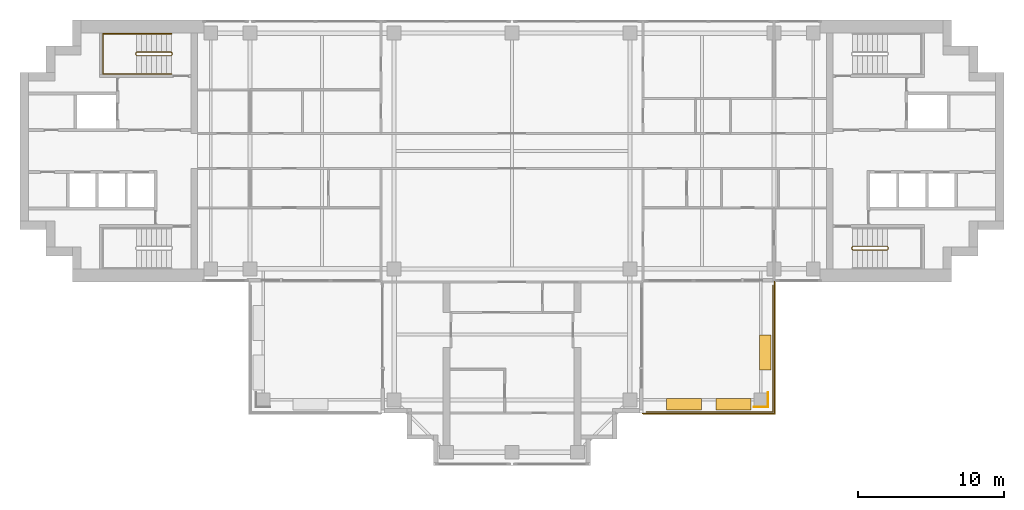
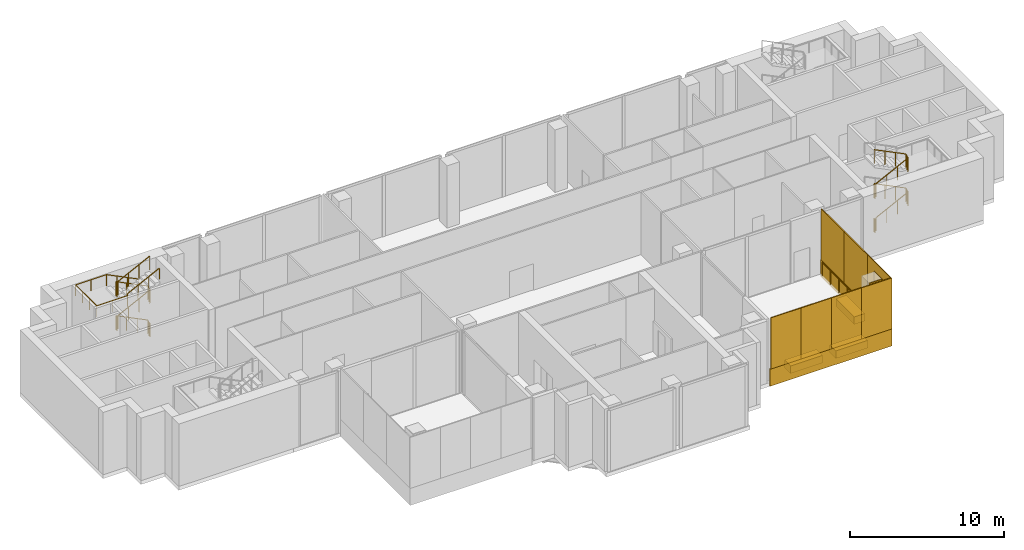
# One storey, part 11 of 12: 13 coverings, 4 railings.
"""IFC4 building model written with IfcOpenShell, lengths in metres."""

from ifc_helpers import new_model, si_unit, direction, frame, origin, origin_2d, place, context, subcontext, project, spatial, polyline, rectangle, outline, extrude, material, layer, layer_set, type_object, element, save


model = new_model("IFC4")

# Units and contexts
model_context = context("Model", 3, precision=1e-05, world=origin(), true_north=direction((0.0, 1.0)))
body_context = subcontext(model_context, "Body", "Model", "MODEL_VIEW")
ifc_project = project(units=[si_unit("LENGTHUNIT", "METRE"), si_unit("AREAUNIT", "SQUARE_METRE"), si_unit("VOLUMEUNIT", "CUBIC_METRE"), si_unit("PLANEANGLEUNIT", "RADIAN"), si_unit("MASSUNIT", "GRAM", prefix="KILO")], contexts=[model_context])

# Site, building, storey
site_placement = place(None, origin())
site = spatial("IfcSite", under=ifc_project, at=site_placement, CompositionType="ELEMENT")
building_placement = place(site_placement, origin())
building = spatial("IfcBuilding", under=site, at=building_placement, Name="Perihelion Cross Residences", CompositionType="ELEMENT")
storey_placement = place(building_placement, frame((0.0, 0.0, 222.60009765625)))
storey = spatial("IfcBuildingStorey", under=building, at=storey_placement, Name="L56", CompositionType="ELEMENT", Elevation=222.60009765625)

# Railing
ifc_material_1 = material(Name="Bronze anodised aluminium", Category="aluminium")
railing_type_1 = type_object("IfcRailingType", Name="Balcony guard 1100", PredefinedType="GUARDRAIL", material=ifc_material_1)
railing_1_placement = place(storey_placement, frame((17.93994140625, -9.25, 0.0)))
element("IfcRailing", 1, at=railing_1_placement, inside=storey, type_object=railing_type_1, Name="Guard GU1 L56 pocket south-east 1", PredefinedType="GUARDRAIL", context=body_context, shape_type="SweptSolid", body=[
    extrude(rectangle(XDim=0.048095703125, YDim=0.048095703125, at=origin_2d()), frame((0.0, 0.0, 1.076171875), z_axis=(0.0, -1.0, 0.0), x_axis=(1.0, 0.0, 0.0)), (0.0, 0.0, 1.0), 8.68994140625),
    extrude(rectangle(XDim=0.048095703125, YDim=0.048095703125, at=origin_2d()), frame((0.0, -8.68994140625, 1.076171875), z_axis=(-1.0, 0.0, 0.0), x_axis=(0.0, -1.0, 0.0)), (0.0, 0.0, 1.0), 8.68994140625),
    extrude(rectangle(XDim=0.0419921875, YDim=0.0419921875, at=origin_2d()), origin(), (0.0, 0.0, 1.0), 1.052001953125),
    extrude(rectangle(XDim=0.0419921875, YDim=0.0419921875, at=origin_2d()), frame((0.0, -1.086181640625, 0.0)), (0.0, 0.0, 1.0), 1.052001953125),
    extrude(rectangle(XDim=0.0419921875, YDim=0.0419921875, at=origin_2d()), frame((0.0, -2.17236328125, 0.0)), (0.0, 0.0, 1.0), 1.052001953125),
    extrude(rectangle(XDim=0.0419921875, YDim=0.0419921875, at=origin_2d()), frame((0.0, -3.2587890625, 0.0)), (0.0, 0.0, 1.0), 1.052001953125),
    extrude(rectangle(XDim=0.0419921875, YDim=0.0419921875, at=origin_2d()), frame((0.0, -4.344970703125, 0.0)), (0.0, 0.0, 1.0), 1.052001953125),
    extrude(rectangle(XDim=0.0419921875, YDim=0.0419921875, at=origin_2d()), frame((0.0, -5.43115234375, 0.0)), (0.0, 0.0, 1.0), 1.052001953125),
    extrude(rectangle(XDim=0.0419921875, YDim=0.0419921875, at=origin_2d()), frame((0.0, -6.517578125, 0.0)), (0.0, 0.0, 1.0), 1.052001953125),
    extrude(rectangle(XDim=0.0419921875, YDim=0.0419921875, at=origin_2d()), frame((0.0, -7.603759765625, 0.0)), (0.0, 0.0, 1.0), 1.052001953125),
    extrude(rectangle(XDim=0.0419921875, YDim=0.0419921875, at=origin_2d()), frame((0.0, -8.68994140625, 0.0)), (0.0, 0.0, 1.0), 1.052001953125),
    extrude(rectangle(XDim=0.0419921875, YDim=0.0419921875, at=origin_2d()), frame((-1.086181640625, -8.68994140625, 0.0)), (0.0, 0.0, 1.0), 1.052001953125),
    extrude(rectangle(XDim=0.0419921875, YDim=0.0419921875, at=origin_2d()), frame((-2.17236328125, -8.68994140625, 0.0)), (0.0, 0.0, 1.0), 1.052001953125),
    extrude(rectangle(XDim=0.0419921875, YDim=0.0419921875, at=origin_2d()), frame((-3.2587890625, -8.68994140625, 0.0)), (0.0, 0.0, 1.0), 1.052001953125),
    extrude(rectangle(XDim=0.0419921875, YDim=0.0419921875, at=origin_2d()), frame((-4.344970703125, -8.68994140625, 0.0)), (0.0, 0.0, 1.0), 1.052001953125),
    extrude(rectangle(XDim=0.0419921875, YDim=0.0419921875, at=origin_2d()), frame((-5.43115234375, -8.68994140625, 0.0)), (0.0, 0.0, 1.0), 1.052001953125),
    extrude(rectangle(XDim=0.0419921875, YDim=0.0419921875, at=origin_2d()), frame((-6.517578125, -8.68994140625, 0.0)), (0.0, 0.0, 1.0), 1.052001953125),
    extrude(rectangle(XDim=0.0419921875, YDim=0.0419921875, at=origin_2d()), frame((-7.603759765625, -8.68994140625, 0.0)), (0.0, 0.0, 1.0), 1.052001953125),
    extrude(rectangle(XDim=0.0419921875, YDim=0.0419921875, at=origin_2d()), frame((-8.68994140625, -8.68994140625, 0.0)), (0.0, 0.0, 1.0), 1.052001953125),
])

# Coverings
ifc_material_2 = material(Name="Bronze anodised aluminium", Category="aluminium")
ifc_layer_1 = layer(ifc_material_2, 0.0400390625)
ifc_layer_set_1 = layer_set([ifc_layer_1], Name="Bronze column casing 40")
covering_type_1 = type_object("IfcCoveringType", Name="Bronze column casing 40", PredefinedType="CLADDING", material=ifc_layer_set_1)
covering_1_placement = place(storey_placement, frame((17.594970703125, -17.10009765625, -0.300048828125), z_axis=(0.0, 0.0, 1.0), x_axis=(1.0, 0.0, 0.0)))
element("IfcCovering", 2, at=covering_1_placement, inside=storey, type_object=covering_type_1, Name="Cladding CC1 L56 casing east-west no. 2", PredefinedType="CLADDING", context=body_context, shape_type="SweptSolid", body=[
    extrude(rectangle(XDim=0.0400390625, YDim=1.030029296875, at=origin_2d()), origin(), (0.0, 0.0, 1.0), 5.25),
])
covering_2_placement = place(storey_placement, frame((17.10009765625, -17.594970703125, -0.300048828125), z_axis=(0.0, 0.0, 1.0), x_axis=(1.0, 0.0, 0.0)))
element("IfcCovering", 3, at=covering_2_placement, inside=storey, type_object=covering_type_1, Name="Cladding CC1 L56 casing north-south no. 2", PredefinedType="CLADDING", context=body_context, shape_type="SweptSolid", body=[
    extrude(rectangle(XDim=0.949951171875, YDim=0.0400390625, at=origin_2d()), origin(), (0.0, 0.0, 1.0), 5.25),
])
ifc_material_3 = material(Name="Precast concrete C40/50", Category="concrete")
covering_type_2 = type_object("IfcCoveringType", Name="Planter box 2400", PredefinedType="USERDEFINED", material=ifc_material_3)
for number, where, z_axis, x_axis, name in (
    (4, (17.389892578125, -13.85009765625, -0.000244140625), (0.0, 0.0, 1.0), (0.0, -1.0, 0.0), "Planter PT1 L56 pocket south-east 1"),
    (5, (15.22998046875, -17.389892578125, -0.000244140625), (0.0, 0.0, 1.0), (-1.0, 0.0, 0.0), "Planter PT1 L56 pocket south-east 2"),
    (6, (11.830078125, -17.389892578125, -0.000244140625), (0.0, 0.0, 1.0), (-1.0, 0.0, 0.0), "Planter PT1 L56 pocket south-east 3"),
):
    element("IfcCovering", number, at=place(storey_placement, frame(where, z_axis=z_axis, x_axis=x_axis)), inside=storey, type_object=covering_type_2, Name=name, ObjectType="PLANTER", PredefinedType="USERDEFINED", context=body_context, shape_type="SweptSolid", body=[
        extrude(rectangle(XDim=2.39990234375, YDim=0.800048828125, at=origin_2d()), origin(), (0.0, 0.0, 1.0), 0.60009765625),
    ])
ifc_material_4 = material(Name="Bronze anodised aluminium", Category="aluminium")
ifc_layer_2 = layer(ifc_material_4, 0.070068359375)
ifc_layer_set_2 = layer_set([ifc_layer_2], Name="Pocket fascia 1350")
covering_type_3 = type_object("IfcCoveringType", Name="Pocket fascia 1350", PredefinedType="CLADDING", material=ifc_layer_set_2)
covering_3_placement = place(storey_placement, frame((0.0, 0.0, -0.25)))
element("IfcCovering", 7, at=covering_3_placement, inside=storey, type_object=covering_type_3, Name="Fascia BF2 L56 pocket south-east 1", PredefinedType="CLADDING", context=body_context, shape_type="SweptSolid", body=[
    extrude(outline(polyline([(8.929931640625, -18.070068359375), (18.070068359375, -18.070068359375), (18.070068359375, -8.929931640625), (18.0, -8.929931640625), (18.0, -9.0), (18.0, -9.0), (18.0, -18.0), (9.0, -18.0), (9.0, -18.0), (8.929931640625, -18.0), (8.929931640625, -18.070068359375)])), origin(), (0.0, 0.0, 1.0), 1.349853515625),
])
ifc_material_5 = material(Name="Bronze perforated aluminium", Category="aluminium")
ifc_layer_3 = layer(ifc_material_5, 0.070068359375)
ifc_layer_set_3 = layer_set([ifc_layer_3], Name="Pocket solar screen, bronze perforated")
covering_type_4 = type_object("IfcCoveringType", Name="Pocket solar screen, bronze perforated", PredefinedType="CLADDING", material=ifc_layer_set_3)
covering_4_placement = place(storey_placement, frame((0.0, 0.0, 1.099853515625)))
element("IfcCovering", 8, at=covering_4_placement, inside=storey, type_object=covering_type_4, Name="Solar screen PS1 L56 pocket south-east no. 1", PredefinedType="CLADDING", context=body_context, shape_type="SweptSolid", body=[
    extrude(outline(polyline([(18.070068359375, -18.0), (18.070068359375, -15.0), (18.0, -15.0), (18.0, -18.0), (18.070068359375, -18.0)])), origin(), (0.0, 0.0, 1.0), 4.050048828125),
])
covering_5_placement = place(storey_placement, frame((0.0, 0.0, 1.099853515625)))
element("IfcCovering", 9, at=covering_5_placement, inside=storey, type_object=covering_type_4, Name="Solar screen PS1 L56 pocket south-east no. 2", PredefinedType="CLADDING", context=body_context, shape_type="SweptSolid", body=[
    extrude(outline(polyline([(18.070068359375, -15.0), (18.070068359375, -12.0), (18.0, -12.0), (18.0, -15.0), (18.070068359375, -15.0)])), origin(), (0.0, 0.0, 1.0), 4.050048828125),
])
covering_6_placement = place(storey_placement, frame((0.0, 0.0, 1.099853515625)))
element("IfcCovering", 10, at=covering_6_placement, inside=storey, type_object=covering_type_4, Name="Solar screen PS1 L56 pocket south-east no. 3", PredefinedType="CLADDING", context=body_context, shape_type="SweptSolid", body=[
    extrude(outline(polyline([(18.070068359375, -12.0), (18.070068359375, -9.0), (18.0, -9.0), (18.0, -12.0), (18.070068359375, -12.0)])), origin(), (0.0, 0.0, 1.0), 4.050048828125),
])
covering_7_placement = place(storey_placement, frame((0.0, 0.0, 1.099853515625)))
element("IfcCovering", 11, at=covering_7_placement, inside=storey, type_object=covering_type_4, Name="Solar screen PS1 L56 pocket south-east no. 4", PredefinedType="CLADDING", context=body_context, shape_type="SweptSolid", body=[
    extrude(outline(polyline([(11.267578125, -18.070068359375), (11.267578125, -18.0), (9.0, -18.0), (9.0, -18.070068359375), (11.267578125, -18.070068359375)])), origin(), (0.0, 0.0, 1.0), 4.050048828125),
])
covering_8_placement = place(storey_placement, frame((0.0, 0.0, 1.099853515625)))
element("IfcCovering", 12, at=covering_8_placement, inside=storey, type_object=covering_type_4, Name="Solar screen PS1 L56 pocket south-east no. 5", PredefinedType="CLADDING", context=body_context, shape_type="SweptSolid", body=[
    extrude(outline(polyline([(13.534912109375, -18.070068359375), (13.534912109375, -18.0), (11.267578125, -18.0), (11.267578125, -18.070068359375), (13.534912109375, -18.070068359375)])), origin(), (0.0, 0.0, 1.0), 4.050048828125),
])
covering_9_placement = place(storey_placement, frame((0.0, 0.0, 1.099853515625)))
element("IfcCovering", 13, at=covering_9_placement, inside=storey, type_object=covering_type_4, Name="Solar screen PS1 L56 pocket south-east no. 6", PredefinedType="CLADDING", context=body_context, shape_type="SweptSolid", body=[
    extrude(outline(polyline([(15.802490234375, -18.070068359375), (15.802490234375, -18.0), (13.534912109375, -18.0), (13.534912109375, -18.070068359375), (15.802490234375, -18.070068359375)])), origin(), (0.0, 0.0, 1.0), 4.050048828125),
])
covering_10_placement = place(storey_placement, frame((0.0, 0.0, 1.099853515625)))
element("IfcCovering", 14, at=covering_10_placement, inside=storey, type_object=covering_type_4, Name="Solar screen PS1 L56 pocket south-east no. 7", PredefinedType="CLADDING", context=body_context, shape_type="SweptSolid", body=[
    extrude(outline(polyline([(18.070068359375, -18.070068359375), (18.070068359375, -18.0), (15.802490234375, -18.0), (15.802490234375, -18.070068359375), (18.070068359375, -18.070068359375)])), origin(), (0.0, 0.0, 1.0), 4.050048828125),
])

# Railings
ifc_material_6 = material(Name="Stainless steel", Category="steel")
railing_type_2 = type_object("IfcRailingType", Name="Stair guard 1100", PredefinedType="GUARDRAIL", material=ifc_material_6)
railing_2_placement = place(storey_placement, frame((23.35009765625, -6.60009765625, 0.0)))
element("IfcRailing", 15, at=railing_2_placement, inside=storey, type_object=railing_type_2, Name="L56 ST-E2 stair guard 1", PredefinedType="GUARDRAIL", context=body_context, shape_type="SweptSolid", body=[
    extrude(rectangle(XDim=0.048095703125, YDim=0.048095703125, at=origin_2d()), frame((0.0, 0.0, 1.076171875), z_axis=(0.0, -1.0, 0.0), x_axis=(1.0, 0.0, 0.0)), (0.0, 0.0, 1.0), 0.14990234375),
    extrude(rectangle(XDim=0.048095703125, YDim=0.048095703125, at=origin_2d()), frame((0.0, -0.14990234375, 1.076171875), z_axis=(0.272333783174, -0.273668752699, 0.922463942026), x_axis=(0.708833529934, 0.705375805398, 0.0)), (0.0, 0.0, 1.0), 0.182861328125),
    extrude(rectangle(XDim=0.048095703125, YDim=0.048095703125, at=origin_2d()), frame((0.0498046875, -0.199951171875, 1.24462890625), z_axis=(0.895764654725, 0.0, 0.444528608017), x_axis=(0.0, 1.0, 0.0)), (0.0, 0.0, 1.0), 2.656982421875),
    extrude(rectangle(XDim=0.048095703125, YDim=0.048095703125, at=origin_2d()), frame((2.429931640625, -0.199951171875, 2.42578125), z_axis=(0.707106781187, 0.707106781187, 0.0), x_axis=(-0.707106781187, 0.707106781187, 0.0)), (0.0, 0.0, 1.0), 0.07080078125),
    extrude(rectangle(XDim=0.048095703125, YDim=0.048095703125, at=origin_2d()), frame((2.47998046875, -0.14990234375, 2.42578125), z_axis=(0.0, 1.0, 0.0), x_axis=(-1.0, 0.0, 0.0)), (0.0, 0.0, 1.0), 0.14990234375),
    extrude(rectangle(XDim=0.048095703125, YDim=0.048095703125, at=origin_2d()), frame((2.47998046875, 0.0, 2.42578125), z_axis=(-0.273569069059, 0.273569069059, 0.922127935218), x_axis=(-0.707106781187, -0.707106781187, 0.0)), (0.0, 0.0, 1.0), 0.182861328125),
    extrude(rectangle(XDim=0.048095703125, YDim=0.048095703125, at=origin_2d()), frame((2.429931640625, 0.050048828125, 2.5947265625), z_axis=(-0.895728066128, 0.0, 0.444602329674), x_axis=(0.0, -1.0, 0.0)), (0.0, 0.0, 1.0), 2.6572265625),
    extrude(rectangle(XDim=0.048095703125, YDim=0.048095703125, at=origin_2d()), frame((0.0498046875, 0.050048828125, 3.77587890625), z_axis=(-0.241699205484, -0.970351222016, 0.0), x_axis=(0.970351222016, -0.241699205484, 0.0)), (0.0, 0.0, 1.0), 0.2060546875),
    extrude(rectangle(XDim=0.048095703125, YDim=0.048095703125, at=origin_2d()), frame((0.0, -0.14990234375, 3.77587890625), z_axis=(0.0, 1.0, 0.0), x_axis=(-1.0, 0.0, 0.0)), (0.0, 0.0, 1.0), 0.14990234375),
    extrude(rectangle(XDim=0.048095703125, YDim=0.048095703125, at=origin_2d()), frame((0.0, 0.0, 3.77587890625), z_axis=(0.187017651923, -0.750820867278, 0.633476458228), x_axis=(0.970351222016, 0.241699205484, 0.0)), (0.0, 0.0, 1.0), 0.266357421875),
    extrude(rectangle(XDim=0.048095703125, YDim=0.048095703125, at=origin_2d()), frame((0.0498046875, -0.199951171875, 3.94482421875), z_axis=(0.895764654725, 0.0, 0.444528608017), x_axis=(0.0, 1.0, 0.0)), (0.0, 0.0, 1.0), 2.656982421875),
    extrude(rectangle(XDim=0.048095703125, YDim=0.048095703125, at=origin_2d()), frame((2.429931640625, -0.199951171875, 5.1259765625), z_axis=(0.707106781187, 0.707106781187, 0.0), x_axis=(-0.707106781187, 0.707106781187, 0.0)), (0.0, 0.0, 1.0), 0.07080078125),
    extrude(rectangle(XDim=0.048095703125, YDim=0.048095703125, at=origin_2d()), frame((2.47998046875, -0.14990234375, 5.1259765625), z_axis=(0.0, 1.0, 0.0), x_axis=(-1.0, 0.0, 0.0)), (0.0, 0.0, 1.0), 0.14990234375),
    extrude(rectangle(XDim=0.048095703125, YDim=0.048095703125, at=origin_2d()), frame((2.47998046875, 0.0, 5.1259765625), z_axis=(-0.273232802156, 0.273232802156, 0.922327312645), x_axis=(-0.707106781187, -0.707106781187, 0.0)), (0.0, 0.0, 1.0), 0.18310546875),
    extrude(rectangle(XDim=0.048095703125, YDim=0.048095703125, at=origin_2d()), frame((2.429931640625, 0.050048828125, 5.294921875), z_axis=(-0.895764654725, 0.0, 0.444528608017), x_axis=(0.0, -1.0, 0.0)), (0.0, 0.0, 1.0), 2.656982421875),
    extrude(rectangle(XDim=0.0419921875, YDim=0.0419921875, at=origin_2d()), origin(), (0.0, 0.0, 1.0), 1.052001953125),
    extrude(rectangle(XDim=0.0419921875, YDim=0.0419921875, at=origin_2d()), frame((0.0, -0.14990234375, 0.0)), (0.0, 0.0, 1.0), 1.052001953125),
    extrude(rectangle(XDim=0.0419921875, YDim=0.0419921875, at=origin_2d()), frame((0.0498046875, -0.199951171875, 0.168701171875)), (0.0, 0.0, 1.0), 1.052001953125),
    extrude(rectangle(XDim=0.0419921875, YDim=0.0419921875, at=origin_2d()), frame((0.84326171875, -0.199951171875, 0.5625)), (0.0, 0.0, 1.0), 1.052001953125),
    extrude(rectangle(XDim=0.0419921875, YDim=0.0419921875, at=origin_2d()), frame((1.636474609375, -0.199951171875, 0.9560546875)), (0.0, 0.0, 1.0), 1.052001953125),
    extrude(rectangle(XDim=0.0419921875, YDim=0.0419921875, at=origin_2d()), frame((2.429931640625, -0.199951171875, 1.349853515625)), (0.0, 0.0, 1.0), 1.052001953125),
    extrude(rectangle(XDim=0.0419921875, YDim=0.0419921875, at=origin_2d()), frame((2.47998046875, -0.14990234375, 1.349853515625)), (0.0, 0.0, 1.0), 1.052001953125),
    extrude(rectangle(XDim=0.0419921875, YDim=0.0419921875, at=origin_2d()), frame((2.47998046875, 0.0, 1.349853515625)), (0.0, 0.0, 1.0), 1.052001953125),
    extrude(rectangle(XDim=0.0419921875, YDim=0.0419921875, at=origin_2d()), frame((2.429931640625, 0.050048828125, 1.5185546875)), (0.0, 0.0, 1.0), 1.052001953125),
    extrude(rectangle(XDim=0.0419921875, YDim=0.0419921875, at=origin_2d()), frame((1.636474609375, 0.050048828125, 1.912353515625)), (0.0, 0.0, 1.0), 1.052001953125),
    extrude(rectangle(XDim=0.0419921875, YDim=0.0419921875, at=origin_2d()), frame((0.84326171875, 0.050048828125, 2.30615234375)), (0.0, 0.0, 1.0), 1.052001953125),
    extrude(rectangle(XDim=0.0419921875, YDim=0.0419921875, at=origin_2d()), frame((0.0498046875, 0.050048828125, 2.699951171875)), (0.0, 0.0, 1.0), 1.052001953125),
    extrude(rectangle(XDim=0.0419921875, YDim=0.0419921875, at=origin_2d()), frame((0.0, -0.14990234375, 2.699951171875)), (0.0, 0.0, 1.0), 1.052001953125),
    extrude(rectangle(XDim=0.0419921875, YDim=0.0419921875, at=origin_2d()), frame((0.0, 0.0, 2.699951171875)), (0.0, 0.0, 1.0), 1.052001953125),
    extrude(rectangle(XDim=0.0419921875, YDim=0.0419921875, at=origin_2d()), frame((0.0498046875, -0.199951171875, 2.86865234375)), (0.0, 0.0, 1.0), 1.052001953125),
    extrude(rectangle(XDim=0.0419921875, YDim=0.0419921875, at=origin_2d()), frame((0.84326171875, -0.199951171875, 3.262451171875)), (0.0, 0.0, 1.0), 1.052001953125),
    extrude(rectangle(XDim=0.0419921875, YDim=0.0419921875, at=origin_2d()), frame((1.636474609375, -0.199951171875, 3.656005859375)), (0.0, 0.0, 1.0), 1.052001953125),
    extrude(rectangle(XDim=0.0419921875, YDim=0.0419921875, at=origin_2d()), frame((2.429931640625, -0.199951171875, 4.0498046875)), (0.0, 0.0, 1.0), 1.052001953125),
    extrude(rectangle(XDim=0.0419921875, YDim=0.0419921875, at=origin_2d()), frame((2.47998046875, -0.14990234375, 4.0498046875)), (0.0, 0.0, 1.0), 1.052001953125),
    extrude(rectangle(XDim=0.0419921875, YDim=0.0419921875, at=origin_2d()), frame((2.47998046875, 0.0, 4.0498046875)), (0.0, 0.0, 1.0), 1.052001953125),
    extrude(rectangle(XDim=0.0419921875, YDim=0.0419921875, at=origin_2d()), frame((2.429931640625, 0.050048828125, 4.21875)), (0.0, 0.0, 1.0), 1.052001953125),
    extrude(rectangle(XDim=0.0419921875, YDim=0.0419921875, at=origin_2d()), frame((1.636474609375, 0.050048828125, 4.612548828125)), (0.0, 0.0, 1.0), 1.052001953125),
    extrude(rectangle(XDim=0.0419921875, YDim=0.0419921875, at=origin_2d()), frame((0.84326171875, 0.050048828125, 5.006103515625)), (0.0, 0.0, 1.0), 1.052001953125),
    extrude(rectangle(XDim=0.0419921875, YDim=0.0419921875, at=origin_2d()), frame((0.0498046875, 0.050048828125, 5.39990234375)), (0.0, 0.0, 1.0), 1.052001953125),
])
railing_3_placement = place(storey_placement, frame((-23.35009765625, 6.60009765625, 0.0)))
element("IfcRailing", 16, at=railing_3_placement, inside=storey, type_object=railing_type_2, Name="L56 ST-W1 stair guard 1", PredefinedType="GUARDRAIL", context=body_context, shape_type="SweptSolid", body=[
    extrude(rectangle(XDim=0.048095703125, YDim=0.048095703125, at=origin_2d()), frame((0.0, 0.0, 1.076171875), z_axis=(0.0, 1.0, 0.0), x_axis=(-1.0, 0.0, 0.0)), (0.0, 0.0, 1.0), 0.14990234375),
    extrude(rectangle(XDim=0.048095703125, YDim=0.048095703125, at=origin_2d()), frame((0.0, 0.14990234375, 1.076171875), z_axis=(-0.272333783174, 0.273668752699, 0.922463942026), x_axis=(-0.708833529934, -0.705375805398, 0.0)), (0.0, 0.0, 1.0), 0.182861328125),
    extrude(rectangle(XDim=0.048095703125, YDim=0.048095703125, at=origin_2d()), frame((-0.0498046875, 0.199951171875, 1.24462890625), z_axis=(-0.895764654725, 0.0, 0.444528608017), x_axis=(0.0, -1.0, 0.0)), (0.0, 0.0, 1.0), 2.656982421875),
    extrude(rectangle(XDim=0.048095703125, YDim=0.048095703125, at=origin_2d()), frame((-2.429931640625, 0.199951171875, 2.42578125), z_axis=(-0.707106781187, -0.707106781187, 0.0), x_axis=(0.707106781187, -0.707106781187, 0.0)), (0.0, 0.0, 1.0), 0.07080078125),
    extrude(rectangle(XDim=0.048095703125, YDim=0.048095703125, at=origin_2d()), frame((-2.47998046875, 0.14990234375, 2.42578125), z_axis=(0.0, -1.0, 0.0), x_axis=(1.0, 0.0, 0.0)), (0.0, 0.0, 1.0), 0.14990234375),
    extrude(rectangle(XDim=0.048095703125, YDim=0.048095703125, at=origin_2d()), frame((-2.47998046875, 0.0, 2.42578125), z_axis=(0.273569069059, -0.273569069059, 0.922127935218), x_axis=(0.707106781187, 0.707106781187, 0.0)), (0.0, 0.0, 1.0), 0.182861328125),
    extrude(rectangle(XDim=0.048095703125, YDim=0.048095703125, at=origin_2d()), frame((-2.429931640625, -0.050048828125, 2.5947265625), z_axis=(0.895728066128, 0.0, 0.444602329674), x_axis=(0.0, 1.0, 0.0)), (0.0, 0.0, 1.0), 2.6572265625),
    extrude(rectangle(XDim=0.048095703125, YDim=0.048095703125, at=origin_2d()), frame((-0.0498046875, -0.050048828125, 3.77587890625), z_axis=(0.241699205484, 0.970351222016, 0.0), x_axis=(-0.970351222016, 0.241699205484, 0.0)), (0.0, 0.0, 1.0), 0.2060546875),
    extrude(rectangle(XDim=0.048095703125, YDim=0.048095703125, at=origin_2d()), frame((0.0, 0.14990234375, 3.77587890625), z_axis=(0.0, -1.0, 0.0), x_axis=(1.0, 0.0, 0.0)), (0.0, 0.0, 1.0), 0.14990234375),
    extrude(rectangle(XDim=0.048095703125, YDim=0.048095703125, at=origin_2d()), frame((0.0, 0.0, 3.77587890625), z_axis=(-0.187017651923, 0.750820867278, 0.633476458228), x_axis=(-0.970351222016, -0.241699205484, 0.0)), (0.0, 0.0, 1.0), 0.266357421875),
    extrude(rectangle(XDim=0.048095703125, YDim=0.048095703125, at=origin_2d()), frame((-0.0498046875, 0.199951171875, 3.94482421875), z_axis=(-0.895764654725, 0.0, 0.444528608017), x_axis=(0.0, -1.0, 0.0)), (0.0, 0.0, 1.0), 2.656982421875),
    extrude(rectangle(XDim=0.048095703125, YDim=0.048095703125, at=origin_2d()), frame((-2.429931640625, 0.199951171875, 5.1259765625), z_axis=(-0.707106781187, -0.707106781187, 0.0), x_axis=(0.707106781187, -0.707106781187, 0.0)), (0.0, 0.0, 1.0), 0.07080078125),
    extrude(rectangle(XDim=0.048095703125, YDim=0.048095703125, at=origin_2d()), frame((-2.47998046875, 0.14990234375, 5.1259765625), z_axis=(0.0, -1.0, 0.0), x_axis=(1.0, 0.0, 0.0)), (0.0, 0.0, 1.0), 0.14990234375),
    extrude(rectangle(XDim=0.048095703125, YDim=0.048095703125, at=origin_2d()), frame((-2.47998046875, 0.0, 5.1259765625), z_axis=(0.273232802156, -0.273232802156, 0.922327312645), x_axis=(0.707106781187, 0.707106781187, 0.0)), (0.0, 0.0, 1.0), 0.18310546875),
    extrude(rectangle(XDim=0.048095703125, YDim=0.048095703125, at=origin_2d()), frame((-2.429931640625, -0.050048828125, 5.294921875), z_axis=(0.895764654725, 0.0, 0.444528608017), x_axis=(0.0, 1.0, 0.0)), (0.0, 0.0, 1.0), 2.656982421875),
    extrude(rectangle(XDim=0.0419921875, YDim=0.0419921875, at=origin_2d()), origin(), (0.0, 0.0, 1.0), 1.052001953125),
    extrude(rectangle(XDim=0.0419921875, YDim=0.0419921875, at=origin_2d()), frame((0.0, 0.14990234375, 0.0)), (0.0, 0.0, 1.0), 1.052001953125),
    extrude(rectangle(XDim=0.0419921875, YDim=0.0419921875, at=origin_2d()), frame((-0.0498046875, 0.199951171875, 0.168701171875)), (0.0, 0.0, 1.0), 1.052001953125),
    extrude(rectangle(XDim=0.0419921875, YDim=0.0419921875, at=origin_2d()), frame((-0.84326171875, 0.199951171875, 0.5625)), (0.0, 0.0, 1.0), 1.052001953125),
    extrude(rectangle(XDim=0.0419921875, YDim=0.0419921875, at=origin_2d()), frame((-1.636474609375, 0.199951171875, 0.9560546875)), (0.0, 0.0, 1.0), 1.052001953125),
    extrude(rectangle(XDim=0.0419921875, YDim=0.0419921875, at=origin_2d()), frame((-2.429931640625, 0.199951171875, 1.349853515625)), (0.0, 0.0, 1.0), 1.052001953125),
    extrude(rectangle(XDim=0.0419921875, YDim=0.0419921875, at=origin_2d()), frame((-2.47998046875, 0.14990234375, 1.349853515625)), (0.0, 0.0, 1.0), 1.052001953125),
    extrude(rectangle(XDim=0.0419921875, YDim=0.0419921875, at=origin_2d()), frame((-2.47998046875, 0.0, 1.349853515625)), (0.0, 0.0, 1.0), 1.052001953125),
    extrude(rectangle(XDim=0.0419921875, YDim=0.0419921875, at=origin_2d()), frame((-2.429931640625, -0.050048828125, 1.5185546875)), (0.0, 0.0, 1.0), 1.052001953125),
    extrude(rectangle(XDim=0.0419921875, YDim=0.0419921875, at=origin_2d()), frame((-1.636474609375, -0.050048828125, 1.912353515625)), (0.0, 0.0, 1.0), 1.052001953125),
    extrude(rectangle(XDim=0.0419921875, YDim=0.0419921875, at=origin_2d()), frame((-0.84326171875, -0.050048828125, 2.30615234375)), (0.0, 0.0, 1.0), 1.052001953125),
    extrude(rectangle(XDim=0.0419921875, YDim=0.0419921875, at=origin_2d()), frame((-0.0498046875, -0.050048828125, 2.699951171875)), (0.0, 0.0, 1.0), 1.052001953125),
    extrude(rectangle(XDim=0.0419921875, YDim=0.0419921875, at=origin_2d()), frame((0.0, 0.14990234375, 2.699951171875)), (0.0, 0.0, 1.0), 1.052001953125),
    extrude(rectangle(XDim=0.0419921875, YDim=0.0419921875, at=origin_2d()), frame((0.0, 0.0, 2.699951171875)), (0.0, 0.0, 1.0), 1.052001953125),
    extrude(rectangle(XDim=0.0419921875, YDim=0.0419921875, at=origin_2d()), frame((-0.0498046875, 0.199951171875, 2.86865234375)), (0.0, 0.0, 1.0), 1.052001953125),
    extrude(rectangle(XDim=0.0419921875, YDim=0.0419921875, at=origin_2d()), frame((-0.84326171875, 0.199951171875, 3.262451171875)), (0.0, 0.0, 1.0), 1.052001953125),
    extrude(rectangle(XDim=0.0419921875, YDim=0.0419921875, at=origin_2d()), frame((-1.636474609375, 0.199951171875, 3.656005859375)), (0.0, 0.0, 1.0), 1.052001953125),
    extrude(rectangle(XDim=0.0419921875, YDim=0.0419921875, at=origin_2d()), frame((-2.429931640625, 0.199951171875, 4.0498046875)), (0.0, 0.0, 1.0), 1.052001953125),
    extrude(rectangle(XDim=0.0419921875, YDim=0.0419921875, at=origin_2d()), frame((-2.47998046875, 0.14990234375, 4.0498046875)), (0.0, 0.0, 1.0), 1.052001953125),
    extrude(rectangle(XDim=0.0419921875, YDim=0.0419921875, at=origin_2d()), frame((-2.47998046875, 0.0, 4.0498046875)), (0.0, 0.0, 1.0), 1.052001953125),
    extrude(rectangle(XDim=0.0419921875, YDim=0.0419921875, at=origin_2d()), frame((-2.429931640625, -0.050048828125, 4.21875)), (0.0, 0.0, 1.0), 1.052001953125),
    extrude(rectangle(XDim=0.0419921875, YDim=0.0419921875, at=origin_2d()), frame((-1.636474609375, -0.050048828125, 4.612548828125)), (0.0, 0.0, 1.0), 1.052001953125),
    extrude(rectangle(XDim=0.0419921875, YDim=0.0419921875, at=origin_2d()), frame((-0.84326171875, -0.050048828125, 5.006103515625)), (0.0, 0.0, 1.0), 1.052001953125),
    extrude(rectangle(XDim=0.0419921875, YDim=0.0419921875, at=origin_2d()), frame((-0.0498046875, -0.050048828125, 5.39990234375)), (0.0, 0.0, 1.0), 1.052001953125),
])
ifc_material_7 = material(Name="Stainless steel", Category="steel")
railing_type_3 = type_object("IfcRailingType", Name="Stair handrail 900", PredefinedType="HANDRAIL", material=ifc_material_7)
railing_4_placement = place(storey_placement, frame((-23.39990234375, 8.050048828125, 2.86865234375)))
element("IfcRailing", 17, at=railing_4_placement, inside=storey, type_object=railing_type_3, Name="L56 ST-W1 stair handrail 2", PredefinedType="HANDRAIL", context=body_context, shape_type="SweptSolid", body=[
    extrude(rectangle(XDim=0.048095703125, YDim=0.048095703125, at=origin_2d()), frame((0.0, 0.0, 0.8759765625), z_axis=(-0.895764654725, 0.0, 0.444528608017), x_axis=(0.0, -1.0, 0.0)), (0.0, 0.0, 1.0), 2.656982421875),
    extrude(rectangle(XDim=0.048095703125, YDim=0.048095703125, at=origin_2d()), frame((-2.380126953125, 0.0, 2.05712890625), z_axis=(-1.0, 0.0, 0.0), x_axis=(0.0, -1.0, 0.0)), (0.0, 0.0, 1.0), 2.320068359375),
    extrude(rectangle(XDim=0.048095703125, YDim=0.048095703125, at=origin_2d()), frame((-4.7001953125, 0.0, 2.05712890625), z_axis=(0.0, -1.0, 0.0), x_axis=(1.0, 0.0, 0.0)), (0.0, 0.0, 1.0), 2.75),
    extrude(rectangle(XDim=0.048095703125, YDim=0.048095703125, at=origin_2d()), frame((-4.7001953125, -2.75, 2.05712890625), z_axis=(1.0, 0.0, 0.0), x_axis=(0.0, 1.0, 0.0)), (0.0, 0.0, 1.0), 2.320068359375),
    extrude(rectangle(XDim=0.048095703125, YDim=0.048095703125, at=origin_2d()), frame((-2.380126953125, -2.75, 2.05712890625), z_axis=(0.0, 0.0, 1.0), x_axis=(1.0, 0.0, 0.0)), (0.0, 0.0, 1.0), 0.1689453125),
    extrude(rectangle(XDim=0.048095703125, YDim=0.048095703125, at=origin_2d()), frame((-2.380126953125, -2.75, 2.22607421875), z_axis=(0.895764654725, 0.0, 0.444528608017), x_axis=(0.0, 1.0, 0.0)), (0.0, 0.0, 1.0), 2.656982421875),
    extrude(rectangle(XDim=0.0419921875, YDim=0.0419921875, at=origin_2d()), origin(), (0.0, 0.0, 1.0), 0.851806640625),
    extrude(rectangle(XDim=0.0419921875, YDim=0.0419921875, at=origin_2d()), frame((-0.79345703125, 0.0, 0.393798828125)), (0.0, 0.0, 1.0), 0.851806640625),
    extrude(rectangle(XDim=0.0419921875, YDim=0.0419921875, at=origin_2d()), frame((-1.586669921875, 0.0, 0.787353515625)), (0.0, 0.0, 1.0), 0.851806640625),
    extrude(rectangle(XDim=0.0419921875, YDim=0.0419921875, at=origin_2d()), frame((-2.380126953125, 0.0, 1.18115234375)), (0.0, 0.0, 1.0), 0.851806640625),
    extrude(rectangle(XDim=0.0419921875, YDim=0.0419921875, at=origin_2d()), frame((-3.5400390625, 0.0, 1.18115234375)), (0.0, 0.0, 1.0), 0.851806640625),
    extrude(rectangle(XDim=0.0419921875, YDim=0.0419921875, at=origin_2d()), frame((-4.7001953125, 0.0, 1.18115234375)), (0.0, 0.0, 1.0), 0.851806640625),
    extrude(rectangle(XDim=0.0419921875, YDim=0.0419921875, at=origin_2d()), frame((-4.7001953125, -0.916748046875, 1.18115234375)), (0.0, 0.0, 1.0), 0.851806640625),
    extrude(rectangle(XDim=0.0419921875, YDim=0.0419921875, at=origin_2d()), frame((-4.7001953125, -1.833251953125, 1.18115234375)), (0.0, 0.0, 1.0), 0.851806640625),
    extrude(rectangle(XDim=0.0419921875, YDim=0.0419921875, at=origin_2d()), frame((-4.7001953125, -2.75, 1.18115234375)), (0.0, 0.0, 1.0), 0.851806640625),
    extrude(rectangle(XDim=0.0419921875, YDim=0.0419921875, at=origin_2d()), frame((-3.5400390625, -2.75, 1.18115234375)), (0.0, 0.0, 1.0), 0.851806640625),
    extrude(rectangle(XDim=0.0419921875, YDim=0.0419921875, at=origin_2d()), frame((-2.380126953125, -2.75, 1.18115234375)), (0.0, 0.0, 1.0), 0.851806640625),
    extrude(rectangle(XDim=0.0419921875, YDim=0.0419921875, at=origin_2d()), frame((-2.380126953125, -2.75, 1.35009765625)), (0.0, 0.0, 1.0), 0.851806640625),
    extrude(rectangle(XDim=0.0419921875, YDim=0.0419921875, at=origin_2d()), frame((-1.586669921875, -2.75, 1.743896484375)), (0.0, 0.0, 1.0), 0.851806640625),
    extrude(rectangle(XDim=0.0419921875, YDim=0.0419921875, at=origin_2d()), frame((-0.79345703125, -2.75, 2.137451171875)), (0.0, 0.0, 1.0), 0.851806640625),
    extrude(rectangle(XDim=0.0419921875, YDim=0.0419921875, at=origin_2d()), frame((0.0, -2.75, 2.53125)), (0.0, 0.0, 1.0), 0.851806640625),
])

save(model, "model.ifc")
